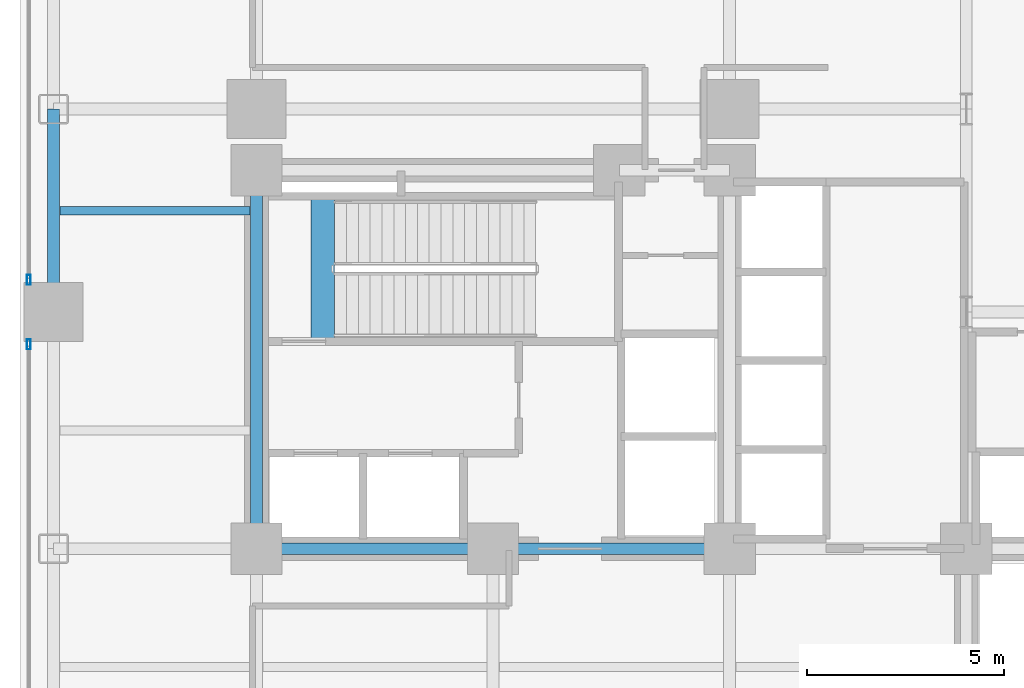
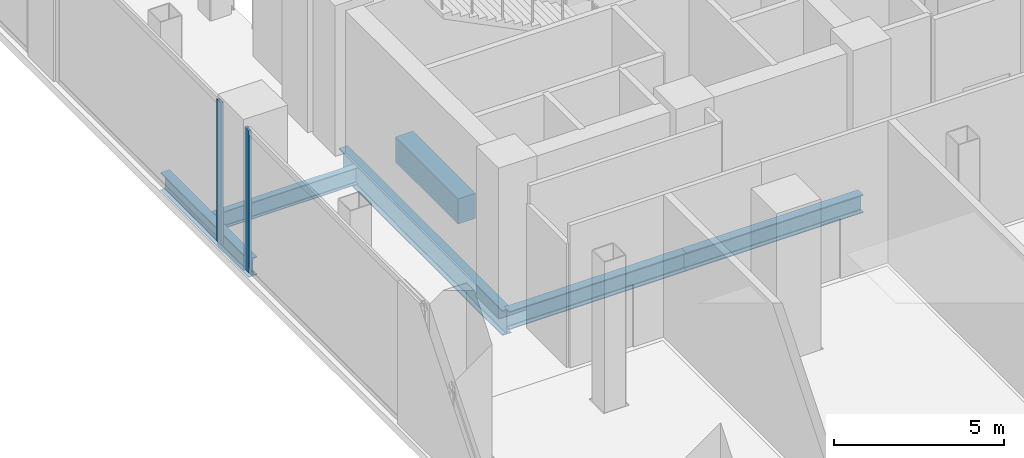
# One storey, part 7 of 28: 6 beams, 2 members, 2 elements without a shape of their own.
"""IFC4 building model written with IfcOpenShell, lengths in metres."""

from ifc_helpers import new_model, si_unit, direction, frame, origin, origin_2d, place, context, subcontext, project, spatial, rectangle, hollow_rectangle, i_section, extrude, material, layer, layer_set, material_profile, profile_set, type_object, element, aggregate, save


model = new_model("IFC4")

# Units and contexts
model_context = context("Model", 3, precision=1e-05, world=origin(), true_north=direction((0.0, 1.0)))
body_context = subcontext(model_context, "Body", "Model", "MODEL_VIEW")
ifc_project = project(units=[si_unit("LENGTHUNIT", "METRE"), si_unit("AREAUNIT", "SQUARE_METRE"), si_unit("VOLUMEUNIT", "CUBIC_METRE"), si_unit("PLANEANGLEUNIT", "RADIAN"), si_unit("MASSUNIT", "GRAM", prefix="KILO"), si_unit("THERMODYNAMICTEMPERATUREUNIT", "KELVIN"), si_unit("POWERUNIT", "WATT")], contexts=[model_context])

# Site, building, storey
site_placement = place(None, origin())
site = spatial("IfcSite", under=ifc_project, at=site_placement, CompositionType="ELEMENT")
building_placement = place(site_placement, origin())
building = spatial("IfcBuilding", under=site, at=building_placement, Name="Svarakhadi Broadcast Tower", CompositionType="ELEMENT")
storey_placement = place(building_placement, frame((0.0, 0.0, 11.10009765625)))
storey = spatial("IfcBuildingStorey", under=building, at=storey_placement, Name="L02", CompositionType="ELEMENT", Elevation=11.10009765625)

# Beam
ifc_material_1 = material(Name="Steel S355J2 (IS 2062 E350C)", Category="steel")
ifc_material_profile_1 = material_profile(ifc_material_1, i_section(OverallWidth=0.219970703125, OverallDepth=0.60009765625, WebThickness=0.011962890625, FlangeThickness=0.01904296875, FilletRadius=0.02392578125, at=origin_2d()), Name="NPB 600x220x122")
ifc_profile_set_1 = profile_set([ifc_material_profile_1], Name="Steel S355J2 (IS 2062 E350C)")
beam_type_1 = type_object("IfcBeamType", Name="Beam_NPB600", PredefinedType="BEAM", material=ifc_profile_set_1)
beam_1_placement = place(storey_placement, frame((1.010009765625, 26.574951171875, -0.5751953125), z_axis=(1.0, 0.0, 0.0), x_axis=(0.0, 1.0, 0.0)))
element("IfcBeam", 1, at=beam_1_placement, inside=storey, type_object=beam_type_1, Name="L02 Secondary Composite Beam SB004", PredefinedType="BEAM", context=body_context, shape_type="SweptSolid", body=[
    extrude(i_section(OverallWidth=0.219970703125, OverallDepth=0.60009765625, WebThickness=0.011962890625, FlangeThickness=0.01904296875, FilletRadius=0.02392578125, at=origin_2d()), origin(), (0.0, 0.0, 1.0), 4.830078125),
])

# Curtain wall, member
ifc_material_2 = material(Name="Anodised Bronze Aluminium AA 6063-T6", Category="aluminium")
ifc_layer = layer(ifc_material_2, 0.25)
ifc_layer_set = layer_set([ifc_layer], Name="Anodised Bronze Aluminium AA 6063-T6")
curtain_wall_type = type_object("IfcCurtainWallType", Name="CW_Sys_01", PredefinedType="NOTDEFINED", material=ifc_layer_set)
curtain_wall_1_placement = place(storey_placement, origin())
curtain_wall_1 = element("IfcCurtainWall", 2, at=curtain_wall_1_placement, inside=storey, type_object=curtain_wall_type, Name="L02 Unitised Facade Curtain Wall 02 Bay 2", PredefinedType="NOTDEFINED")
ifc_material_profile_2 = material_profile(ifc_material_2, hollow_rectangle(XDim=0.094970703125, YDim=0.25, WallThickness=0.006103515625, at=origin_2d()), Name="ALU MULLION 250x95x6")
ifc_profile_set_2 = profile_set([ifc_material_profile_2], Name="Anodised Bronze Aluminium AA 6063-T6")
member_type = type_object("IfcMemberType", Name="CW_Sys_01_Mul", PredefinedType="MULLION", material=ifc_profile_set_2)
member_1_placement = place(storey_placement, frame((0.219970703125, 23.1826171875, 0.0), z_axis=(0.0, 0.0, 1.0), x_axis=(-1.0, 0.0, 0.0)))
member_1 = element("IfcMember", 3, at=member_1_placement, type_object=member_type, Name="CW-01 mullion 2", PredefinedType="MULLION", context=body_context, shape_type="SweptSolid", body=[
    extrude(hollow_rectangle(XDim=0.094970703125, YDim=0.25, WallThickness=0.006103515625, at=origin_2d()), origin(), (0.0, 0.0, 1.0), 5.099853515625),
])
aggregate(curtain_wall_1, [member_1])

curtain_wall_2_placement = place(storey_placement, origin())
curtain_wall_2 = element("IfcCurtainWall", 4, at=curtain_wall_2_placement, inside=storey, type_object=curtain_wall_type, Name="L02 Unitised Facade Curtain Wall 02 Bay 3", PredefinedType="NOTDEFINED")
member_2_placement = place(storey_placement, frame((0.219970703125, 24.8173828125, 0.0), z_axis=(0.0, 0.0, 1.0), x_axis=(-1.0, 0.0, 0.0)))
member_2 = element("IfcMember", 5, at=member_2_placement, type_object=member_type, Name="CW-01 mullion 1", PredefinedType="MULLION", context=body_context, shape_type="SweptSolid", body=[
    extrude(hollow_rectangle(XDim=0.094970703125, YDim=0.25, WallThickness=0.006103515625, at=origin_2d()), origin(), (0.0, 0.0, 1.0), 5.099853515625),
])
aggregate(curtain_wall_2, [member_2])

# Beams
ifc_material_3 = material(Name="Concrete C50/60 (IS 456 M60)", Category="concrete")
ifc_material_profile_3 = material_profile(ifc_material_3, rectangle(XDim=0.60009765625, YDim=0.89990234375, at=origin_2d()), Name="RC 600x900")
ifc_profile_set_3 = profile_set([ifc_material_profile_3], Name="Concrete C50/60 (IS 456 M60)")
beam_type_2 = type_object("IfcBeamType", Name="Coupling_RC600", PredefinedType="USERDEFINED", material=ifc_profile_set_3)
beam_2_placement = place(storey_placement, frame((7.679931640625, 23.260009765625, -0.4501953125), z_axis=(0.0, 1.0, 0.0), x_axis=(-1.0, 0.0, 0.0)))
element("IfcBeam", 6, at=beam_2_placement, inside=storey, type_object=beam_type_2, Name="L02 Stair ST-01 Landing Throat Trimmer Beam CB-01", ObjectType="GIRDER", PredefinedType="USERDEFINED", context=body_context, shape_type="SweptSolid", body=[
    extrude(rectangle(XDim=0.60009765625, YDim=0.89990234375, at=origin_2d()), origin(), (0.0, 0.0, 1.0), 3.679931640625),
])
ifc_material_profile_4 = material_profile(ifc_material_1, i_section(OverallWidth=0.300048828125, OverallDepth=0.64990234375, WebThickness=0.01611328125, FlangeThickness=0.031005859375, FilletRadius=0.027099609375, at=origin_2d()), Name="WPB 650x300x225")
ifc_profile_set_4 = profile_set([ifc_material_profile_4], Name="Steel S355J2 (IS 2062 E350C)")
beam_type_3 = type_object("IfcBeamType", Name="Girder_WPB650", PredefinedType="USERDEFINED", material=ifc_profile_set_4)
for number, where, z_axis, x_axis, name in (
    (7, (6.0, 18.0, -0.60009765625), (1.0, 0.0, 0.0), (0.0, 1.0, 0.0), "L02 Primary E-W Girder G021"),
    (8, (12.0, 18.0, -0.60009765625), (1.0, 0.0, 0.0), (0.0, 1.0, 0.0), "L02 Primary E-W Girder G022"),
):
    element("IfcBeam", number, at=place(storey_placement, frame(where, z_axis=z_axis, x_axis=x_axis)), inside=storey, type_object=beam_type_3, Name=name, ObjectType="GIRDER", PredefinedType="USERDEFINED", context=body_context, shape_type="SweptSolid", body=[
        extrude(i_section(OverallWidth=0.300048828125, OverallDepth=0.64990234375, WebThickness=0.01611328125, FlangeThickness=0.031005859375, FilletRadius=0.027099609375, at=origin_2d()), origin(), (0.0, 0.0, 1.0), 6.0),
    ])
beam_3_placement = place(storey_placement, frame((0.85009765625, 24.0, -0.60009765625), z_axis=(0.0, 1.0, 0.0), x_axis=(-1.0, 0.0, 0.0)))
element("IfcBeam", 9, at=beam_3_placement, inside=storey, type_object=beam_type_3, Name="L02 Primary N-S Girder G047", ObjectType="GIRDER", PredefinedType="USERDEFINED", context=body_context, shape_type="SweptSolid", body=[
    extrude(i_section(OverallWidth=0.300048828125, OverallDepth=0.64990234375, WebThickness=0.01611328125, FlangeThickness=0.031005859375, FilletRadius=0.027099609375, at=origin_2d()), origin(), (0.0, 0.0, 1.0), 5.14990234375),
])
ifc_material_4 = material(Name="Steel S460ML (IS 2062 E450BR)", Category="steel")
ifc_material_profile_5 = material_profile(ifc_material_4, i_section(OverallWidth=0.300048828125, OverallDepth=0.89990234375, WebThickness=0.0185546875, FlangeThickness=0.034912109375, FilletRadius=0.030029296875, at=origin_2d()), Name="WPB 900x300x291")
ifc_profile_set_5 = profile_set([ifc_material_profile_5], Name="Steel S460ML (IS 2062 E450BR)")
beam_type_4 = type_object("IfcBeamType", Name="Girder_WPB900", PredefinedType="USERDEFINED", material=ifc_profile_set_5)
beam_4_placement = place(storey_placement, frame((6.0, 18.0, -0.72509765625), z_axis=(0.0, 1.0, 0.0), x_axis=(-1.0, 0.0, 0.0)))
element("IfcBeam", 10, at=beam_4_placement, inside=storey, type_object=beam_type_4, Name="L02 Primary N-S Girder G053", ObjectType="GIRDER", PredefinedType="USERDEFINED", context=body_context, shape_type="SweptSolid", body=[
    extrude(i_section(OverallWidth=0.300048828125, OverallDepth=0.89990234375, WebThickness=0.0185546875, FlangeThickness=0.034912109375, FilletRadius=0.030029296875, at=origin_2d()), origin(), (0.0, 0.0, 1.0), 9.60009765625),
])

save(model, "model.ifc")
